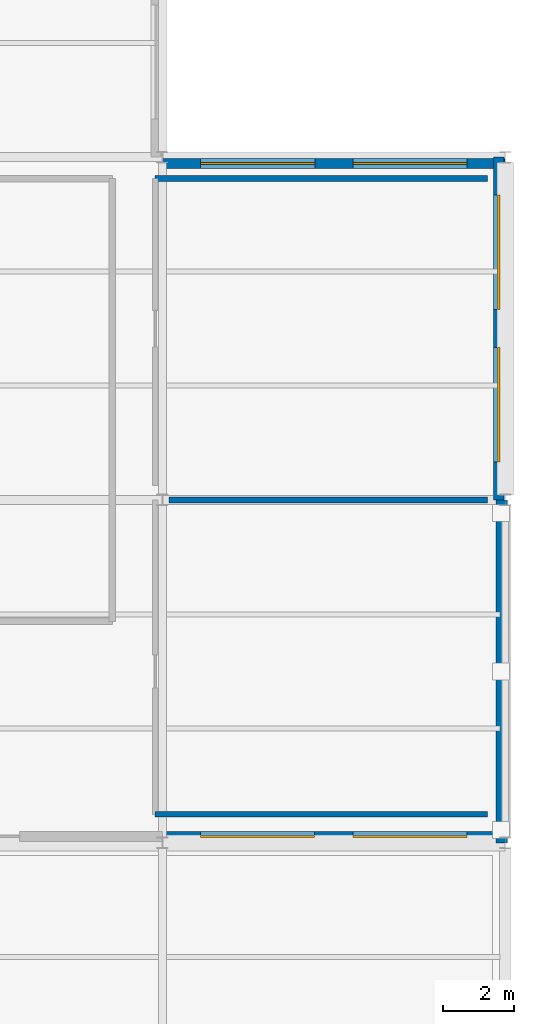
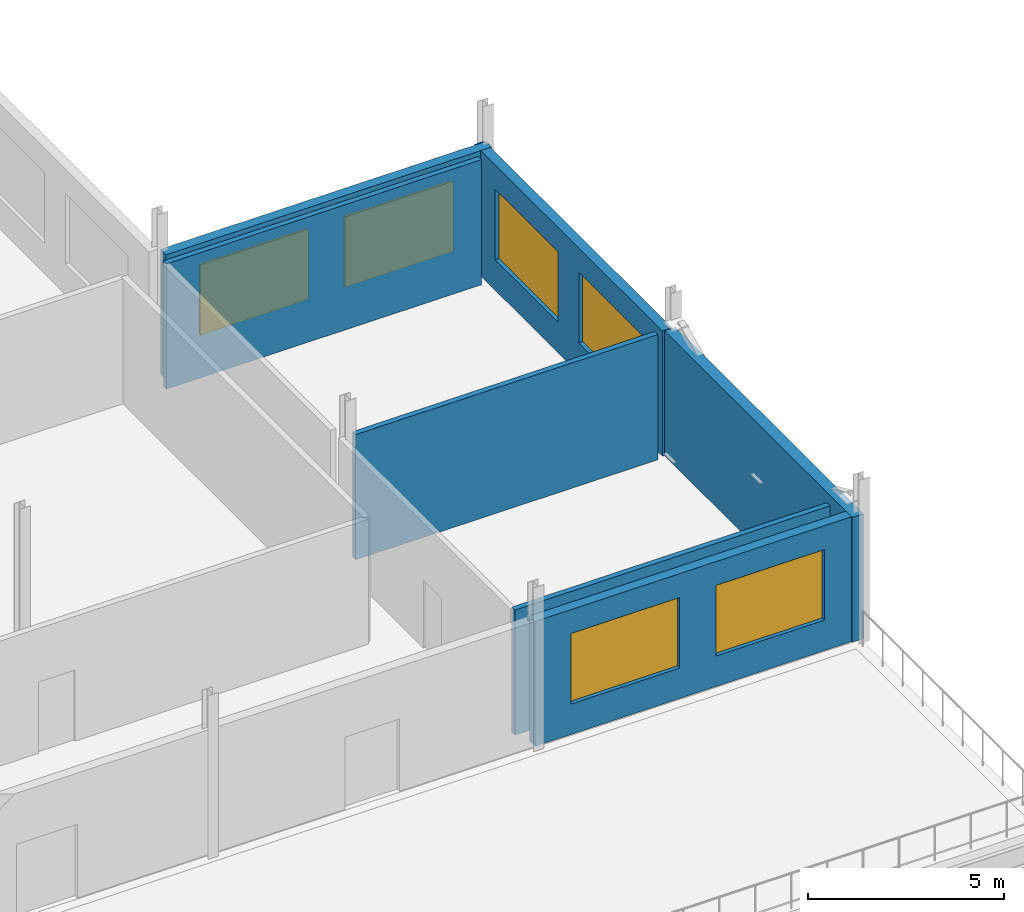
# One storey, part 37 of 45: 7 walls, 6 windows, 6 openings.
"""IFC4 building model written with IfcOpenShell, lengths in metres."""

from ifc_helpers import new_model, si_unit, direction, frame, frame_2d, origin, place, context, subcontext, project, spatial, rectangle, extrude, material, layer, layer_set, type_object, element, fill, save


model = new_model("IFC4")

# Units and contexts
model_context = context("Model", 3, precision=1e-05, world=origin(), true_north=direction((0.0, 1.0)))
body_context = subcontext(model_context, "Body", "Model", "MODEL_VIEW")
ifc_project = project(units=[si_unit("LENGTHUNIT", "METRE"), si_unit("AREAUNIT", "SQUARE_METRE"), si_unit("VOLUMEUNIT", "CUBIC_METRE"), si_unit("PLANEANGLEUNIT", "RADIAN"), si_unit("MASSUNIT", "GRAM", prefix="KILO")], contexts=[model_context])

# Site, building, storey
site_placement = place(None, origin())
site = spatial("IfcSite", under=ifc_project, at=site_placement, CompositionType="ELEMENT")
building_placement = place(site_placement, origin())
building = spatial("IfcBuilding", under=site, at=building_placement, Name="Caelomonte Colonnade Arena", CompositionType="ELEMENT")
storey_placement = place(building_placement, frame((0.0, 0.0, 23.10009765625)))
storey = spatial("IfcBuildingStorey", under=building, at=storey_placement, Name="L05", CompositionType="ELEMENT", Elevation=23.10009765625)

# Wall, openings, windows
ifc_material_1 = material(Name="Precast concrete C40/50", Category="concrete")
ifc_layer_1 = layer(ifc_material_1, 0.2900390625)
ifc_layer_set_1 = layer_set([ifc_layer_1], Name="Precast concrete C40/50")
wall_type_1 = type_object("IfcWallType", Name="ENV-WL-EXT29", PredefinedType="SOLIDWALL", material=ifc_layer_set_1)
wall_1_placement = place(storey_placement, frame((182.39990234375, 115.3798828125, 0.0), z_axis=(0.0, 0.0, 1.0), x_axis=(1.0, 0.0, 0.0)))
wall_1 = element("IfcWall", 1, at=wall_1_placement, inside=storey, type_object=wall_type_1, Name="L05 exterior wall EW-L05-0341", PredefinedType="SOLIDWALL", context=body_context, shape_type="SweptSolid", body=[
    extrude(rectangle(XDim=9.60009765625, YDim=0.2900390625, at=frame_2d((4.800048828125, 0.0))), origin(), (0.0, 0.0, 1.0), 3.892822265625),
])
opening_1_placement = place(wall_1_placement, frame((4.2666015625, 0.0, 0.949951171875), z_axis=(0.0, 0.0, 1.0), x_axis=(-1.0, 0.0, 0.0)))
opening_1 = element("IfcOpeningElement", 2, at=opening_1_placement, cuts=wall_1, Name="Opening WN-15", PredefinedType="OPENING", context=body_context, shape_type="SweptSolid", body=[
    extrude(rectangle(XDim=3.199951171875, YDim=2.199951171875, at=frame_2d((1.60009765625, 1.10009765625))), frame((0.0, 0.155029296875, 0.0), z_axis=(0.0, -1.0, 0.0), x_axis=(1.0, 0.0, 0.0)), (0.0, 0.0, 1.0), 0.31005859375),
])
opening_2_placement = place(wall_1_placement, frame((8.533203125, 0.0, 0.949951171875), z_axis=(0.0, 0.0, 1.0), x_axis=(-1.0, 0.0, 0.0)))
opening_2 = element("IfcOpeningElement", 3, at=opening_2_placement, cuts=wall_1, Name="Opening WN-15", PredefinedType="OPENING", context=body_context, shape_type="SweptSolid", body=[
    extrude(rectangle(XDim=3.199951171875, YDim=2.199951171875, at=frame_2d((1.60009765625, 1.10009765625))), frame((0.0, 0.155029296875, 0.0), z_axis=(0.0, -1.0, 0.0), x_axis=(1.0, 0.0, 0.0)), (0.0, 0.0, 1.0), 0.31005859375),
])
ifc_material_2 = material(Name="Solar-control bronze low-E double glazing", Category="glass")
window_type = type_object("IfcWindowType", Name="ENV-WN-MED", PartitioningType="TRIPLE_PANEL_VERTICAL", PredefinedType="WINDOW", material=ifc_material_2)
window_1_placement = place(opening_1_placement, origin())
window_1 = element("IfcWindow", 4, at=window_1_placement, inside=storey, type_object=window_type, Name="L05 facade window 298", OverallHeight=2.199951171875, OverallWidth=3.199951171875, PartitioningType="SINGLE_PANEL", PredefinedType="WINDOW", context=body_context, shape_type="SweptSolid", body=[
    extrude(rectangle(XDim=3.199951171875, YDim=2.199951171875, at=frame_2d((1.60009765625, 1.10009765625))), frame((0.0, 0.030029296875, 0.0), z_axis=(0.0, -1.0, 0.0), x_axis=(1.0, 0.0, 0.0)), (0.0, 0.0, 1.0), 0.06005859375),
])
fill(opening_1, window_1)
window_2_placement = place(opening_2_placement, origin())
window_2 = element("IfcWindow", 5, at=window_2_placement, inside=storey, type_object=window_type, Name="L05 facade window 299", OverallHeight=2.199951171875, OverallWidth=3.199951171875, PartitioningType="SINGLE_PANEL", PredefinedType="WINDOW", context=body_context, shape_type="SweptSolid", body=[
    extrude(rectangle(XDim=3.199951171875, YDim=2.199951171875, at=frame_2d((1.60009765625, 1.10009765625))), frame((0.0, 0.030029296875, 0.0), z_axis=(0.0, -1.0, 0.0), x_axis=(1.0, 0.0, 0.0)), (0.0, 0.0, 1.0), 0.06005859375),
])
fill(opening_2, window_2)

wall_2_placement = place(storey_placement, frame((191.820068359375, 124.800048828125, 0.0), z_axis=(0.0, 0.0, 1.0), x_axis=(0.0, 1.0, 0.0)))
wall_2 = element("IfcWall", 6, at=wall_2_placement, inside=storey, type_object=wall_type_1, Name="L05 exterior wall EW-L05-0343", PredefinedType="SOLIDWALL", context=body_context, shape_type="SweptSolid", body=[
    extrude(rectangle(XDim=9.599853515625, YDim=0.2900390625, at=frame_2d((4.7998046875, 0.0))), origin(), (0.0, 0.0, 1.0), 3.905517578125),
])
opening_3_placement = place(wall_2_placement, frame((4.2666015625, 0.0, 0.949951171875), z_axis=(0.0, 0.0, 1.0), x_axis=(-1.0, 0.0, 0.0)))
opening_3 = element("IfcOpeningElement", 7, at=opening_3_placement, cuts=wall_2, Name="Opening WN-15", PredefinedType="OPENING", context=body_context, shape_type="SweptSolid", body=[
    extrude(rectangle(XDim=3.199951171875, YDim=2.199951171875, at=frame_2d((1.60009765625, 1.10009765625))), frame((0.0, 0.155029296875, 0.0), z_axis=(0.0, -1.0, 0.0), x_axis=(1.0, 0.0, 0.0)), (0.0, 0.0, 1.0), 0.31005859375),
])
opening_4_placement = place(wall_2_placement, frame((8.533203125, 0.0, 0.949951171875), z_axis=(0.0, 0.0, 1.0), x_axis=(-1.0, 0.0, 0.0)))
opening_4 = element("IfcOpeningElement", 8, at=opening_4_placement, cuts=wall_2, Name="Opening WN-15", PredefinedType="OPENING", context=body_context, shape_type="SweptSolid", body=[
    extrude(rectangle(XDim=3.199951171875, YDim=2.199951171875, at=frame_2d((1.60009765625, 1.10009765625))), frame((0.0, 0.155029296875, 0.0), z_axis=(0.0, -1.0, 0.0), x_axis=(1.0, 0.0, 0.0)), (0.0, 0.0, 1.0), 0.31005859375),
])
window_3_placement = place(opening_3_placement, origin())
window_3 = element("IfcWindow", 9, at=window_3_placement, inside=storey, type_object=window_type, Name="L05 facade window 300", OverallHeight=2.199951171875, OverallWidth=3.199951171875, PartitioningType="SINGLE_PANEL", PredefinedType="WINDOW", context=body_context, shape_type="SweptSolid", body=[
    extrude(rectangle(XDim=3.199951171875, YDim=2.199951171875, at=frame_2d((1.60009765625, 1.10009765625))), frame((0.0, 0.030029296875, 0.0), z_axis=(0.0, -1.0, 0.0), x_axis=(1.0, 0.0, 0.0)), (0.0, 0.0, 1.0), 0.06005859375),
])
fill(opening_3, window_3)
window_4_placement = place(opening_4_placement, origin())
window_4 = element("IfcWindow", 10, at=window_4_placement, inside=storey, type_object=window_type, Name="L05 facade window 301", OverallHeight=2.199951171875, OverallWidth=3.199951171875, PartitioningType="SINGLE_PANEL", PredefinedType="WINDOW", context=body_context, shape_type="SweptSolid", body=[
    extrude(rectangle(XDim=3.199951171875, YDim=2.199951171875, at=frame_2d((1.60009765625, 1.10009765625))), frame((0.0, 0.030029296875, 0.0), z_axis=(0.0, -1.0, 0.0), x_axis=(1.0, 0.0, 0.0)), (0.0, 0.0, 1.0), 0.06005859375),
])
fill(opening_4, window_4)

wall_3_placement = place(storey_placement, frame((192.0, 134.219970703125, 0.0), z_axis=(0.0, 0.0, 1.0), x_axis=(-1.0, 0.0, 0.0)))
wall_3 = element("IfcWall", 11, at=wall_3_placement, inside=storey, type_object=wall_type_1, Name="L05 exterior wall EW-L05-0344", PredefinedType="SOLIDWALL", context=body_context, shape_type="SweptSolid", body=[
    extrude(rectangle(XDim=9.60009765625, YDim=0.2900390625, at=frame_2d((4.800048828125, 0.0))), origin(), (0.0, 0.0, 1.0), 3.905517578125),
])
opening_5_placement = place(wall_3_placement, frame((4.2666015625, 0.0, 0.949951171875), z_axis=(0.0, 0.0, 1.0), x_axis=(-1.0, 0.0, 0.0)))
opening_5 = element("IfcOpeningElement", 12, at=opening_5_placement, cuts=wall_3, Name="Opening WN-15", PredefinedType="OPENING", context=body_context, shape_type="SweptSolid", body=[
    extrude(rectangle(XDim=3.199951171875, YDim=2.199951171875, at=frame_2d((1.60009765625, 1.10009765625))), frame((0.0, 0.155029296875, 0.0), z_axis=(0.0, -1.0, 0.0), x_axis=(1.0, 0.0, 0.0)), (0.0, 0.0, 1.0), 0.31005859375),
])
opening_6_placement = place(wall_3_placement, frame((8.533203125, 0.0, 0.949951171875), z_axis=(0.0, 0.0, 1.0), x_axis=(-1.0, 0.0, 0.0)))
opening_6 = element("IfcOpeningElement", 13, at=opening_6_placement, cuts=wall_3, Name="Opening WN-15", PredefinedType="OPENING", context=body_context, shape_type="SweptSolid", body=[
    extrude(rectangle(XDim=3.199951171875, YDim=2.199951171875, at=frame_2d((1.60009765625, 1.10009765625))), frame((0.0, 0.155029296875, 0.0), z_axis=(0.0, -1.0, 0.0), x_axis=(1.0, 0.0, 0.0)), (0.0, 0.0, 1.0), 0.31005859375),
])
window_5_placement = place(opening_5_placement, origin())
window_5 = element("IfcWindow", 14, at=window_5_placement, inside=storey, type_object=window_type, Name="L05 facade window 302", OverallHeight=2.199951171875, OverallWidth=3.199951171875, PartitioningType="SINGLE_PANEL", PredefinedType="WINDOW", context=body_context, shape_type="SweptSolid", body=[
    extrude(rectangle(XDim=3.199951171875, YDim=2.199951171875, at=frame_2d((1.60009765625, 1.10009765625))), frame((0.0, 0.030029296875, 0.0), z_axis=(0.0, -1.0, 0.0), x_axis=(1.0, 0.0, 0.0)), (0.0, 0.0, 1.0), 0.06005859375),
])
fill(opening_5, window_5)
window_6_placement = place(opening_6_placement, origin())
window_6 = element("IfcWindow", 15, at=window_6_placement, inside=storey, type_object=window_type, Name="L05 facade window 303", OverallHeight=2.199951171875, OverallWidth=3.199951171875, PartitioningType="SINGLE_PANEL", PredefinedType="WINDOW", context=body_context, shape_type="SweptSolid", body=[
    extrude(rectangle(XDim=3.199951171875, YDim=2.199951171875, at=frame_2d((1.60009765625, 1.10009765625))), frame((0.0, 0.030029296875, 0.0), z_axis=(0.0, -1.0, 0.0), x_axis=(1.0, 0.0, 0.0)), (0.0, 0.0, 1.0), 0.06005859375),
])
fill(opening_6, window_6)

# Walls
ifc_layer_2 = layer(ifc_material_1, 0.330078125)
ifc_layer_set_2 = layer_set([ifc_layer_2], Name="Precast concrete C40/50")
wall_type_2 = type_object("IfcWallType", Name="ENV-WL-EXT33", PredefinedType="SOLIDWALL", material=ifc_layer_set_2)
wall_4_placement = place(storey_placement, frame((191.89990234375, 115.199951171875, 0.0), z_axis=(0.0, 0.0, 1.0), x_axis=(0.0, 1.0, 0.0)))
element("IfcWall", 16, at=wall_4_placement, inside=storey, type_object=wall_type_2, Name="L05 exterior wall EW-L05-0342", PredefinedType="SOLIDWALL", context=body_context, shape_type="SweptSolid", body=[
    extrude(rectangle(XDim=9.60009765625, YDim=0.330078125, at=frame_2d((4.800048828125, 0.0))), origin(), (0.0, 0.0, 1.0), 3.892822265625),
])
ifc_material_3 = material(Name="Moisture-resistant WC partition")
ifc_layer_3 = layer(ifc_material_3, 0.159912109375)
ifc_layer_set_3 = layer_set([ifc_layer_3], Name="Moisture-resistant WC partition")
wall_type_3 = type_object("IfcWallType", Name="INT-WL-PT16", PredefinedType="PARTITIONING", material=ifc_layer_set_3)
wall_5_placement = place(storey_placement, frame((182.58740234375, 124.800048828125, 0.0), z_axis=(0.0, 0.0, 1.0), x_axis=(1.0, 0.0, 0.0)))
element("IfcWall", 17, at=wall_5_placement, inside=storey, type_object=wall_type_3, Name="L05 Media Level Restroom partition 292", PredefinedType="PARTITIONING", context=body_context, shape_type="SweptSolid", body=[
    extrude(rectangle(XDim=8.91259765625, YDim=0.159912109375, at=frame_2d((4.456298828125, 0.0))), origin(), (0.0, 0.0, 1.0), 3.905517578125),
])
for number, where, z_axis, x_axis, name in (
    (18, (191.5, 116.0, 0.0), (0.0, 0.0, 1.0), (-1.0, 0.0, 0.0), "L05 Media Level Restroom partition 293"),
    (19, (182.199951171875, 133.800048828125, 0.0), (0.0, 0.0, 1.0), (1.0, 0.0, 0.0), "L05 Media Level Accessible WC partition 295"),
):
    element("IfcWall", number, at=place(storey_placement, frame(where, z_axis=z_axis, x_axis=x_axis)), inside=storey, type_object=wall_type_3, Name=name, PredefinedType="PARTITIONING", context=body_context, shape_type="SweptSolid", body=[
        extrude(rectangle(XDim=9.300048828125, YDim=0.159912109375, at=frame_2d((4.64990234375, 0.0))), origin(), (0.0, 0.0, 1.0), 3.905517578125),
    ])

save(model, "model.ifc")
